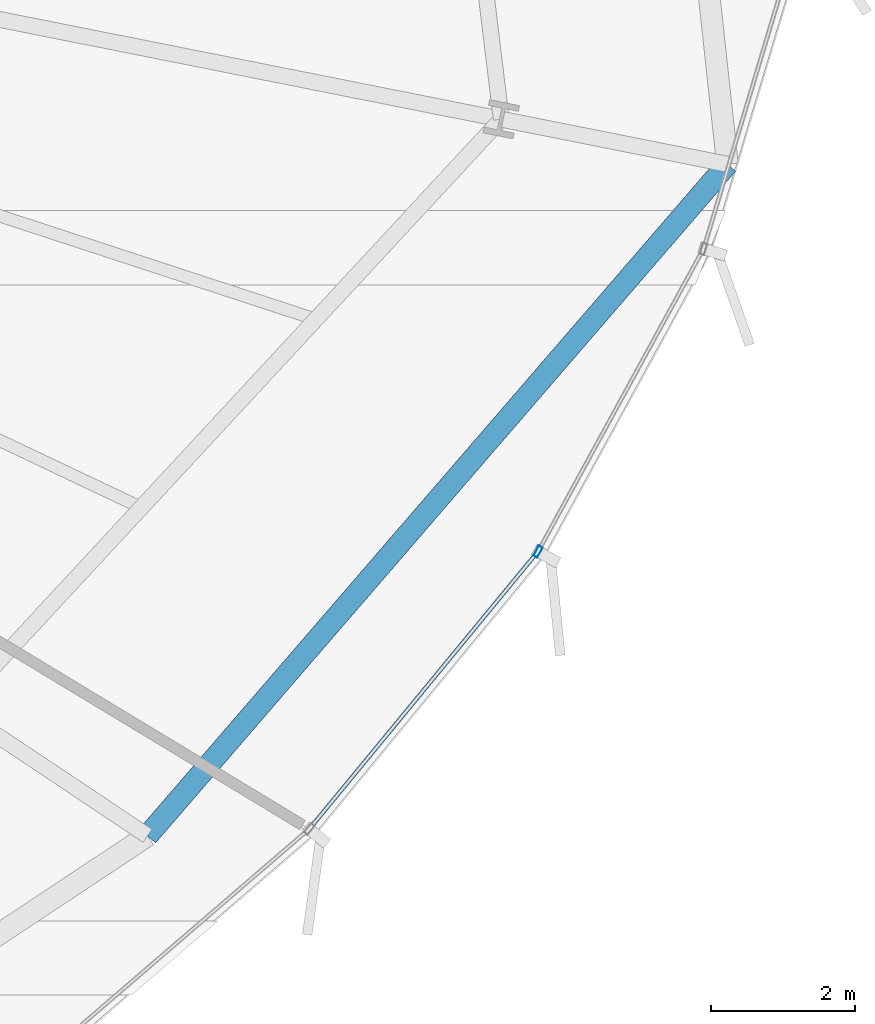
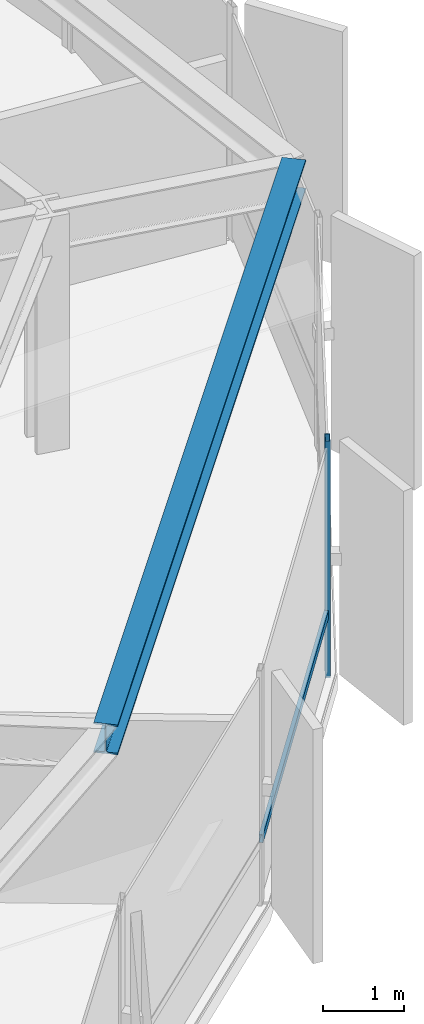
# One storey, part 14 of 39: 2 members, 1 beam, 1 element without a shape of its own.
"""IFC4 building model written with IfcOpenShell, lengths in metres."""

from ifc_helpers import new_model, si_unit, direction, frame, origin, origin_2d, place, context, subcontext, project, spatial, hollow_rectangle, i_section, extrude, source, transform, mapped, material, layer, layer_set, material_profile, profile_set, type_object, element, aggregate, save


model = new_model("IFC4")

# Units and contexts
model_context = context("Model", 3, precision=1e-05, world=origin(), true_north=direction((0.0, 1.0)))
body_context = subcontext(model_context, "Body", "Model", "MODEL_VIEW")
ifc_project = project(units=[si_unit("LENGTHUNIT", "METRE"), si_unit("AREAUNIT", "SQUARE_METRE"), si_unit("VOLUMEUNIT", "CUBIC_METRE"), si_unit("PLANEANGLEUNIT", "RADIAN"), si_unit("MASSUNIT", "GRAM", prefix="KILO"), si_unit("THERMODYNAMICTEMPERATUREUNIT", "KELVIN")], contexts=[model_context])

# Site, building, storey
site_placement = place(None, origin())
site = spatial("IfcSite", under=ifc_project, at=site_placement, CompositionType="ELEMENT")
building_placement = place(site_placement, origin())
building = spatial("IfcBuilding", under=site, at=building_placement, Name="Kethvar Cultural Tower", CompositionType="ELEMENT")
storey_placement = place(building_placement, frame((0.0, 0.0, 41.0)))
storey = spatial("IfcBuildingStorey", under=building, at=storey_placement, Name="L09", CompositionType="ELEMENT", Elevation=41.0)

# Beam
ifc_material_1 = material(Name="Steel S355J2", Category="steel")
ifc_material_profile_1 = material_profile(ifc_material_1, i_section(OverallWidth=0.300048828125, OverallDepth=0.449951171875, WebThickness=0.013916015625, FlangeThickness=0.02587890625, FilletRadius=0.027099609375, at=origin_2d()), Name="Steel S355J2 — HEB450")
ifc_profile_set_1 = profile_set([ifc_material_profile_1], Name="Steel S355J2 — HEB450")
beam_type = type_object("IfcBeamType", Name="BM-SP450", PredefinedType="SPANDREL", material=ifc_profile_set_1)
shared_shape_1 = source(origin(), body_context, "Body", "SweptSolid", [
    extrude(i_section(OverallWidth=0.300048828125, OverallDepth=0.449951171875, WebThickness=0.013916015625, FlangeThickness=0.02587890625, FilletRadius=0.027099609375, at=origin_2d()), origin(), (0.0, 0.0, 1.0), 12.3173828125),
])
beam_placement = place(storey_placement, frame((70.0791015625, 12.24560546875, 3.322998046875), z_axis=(0.653586327045, 0.756851975686, 0.0), x_axis=(-0.756851975686, 0.653586327045, 0.0)))
element("IfcBeam", 1, at=beam_placement, inside=storey, type_object=beam_type, Name="L09 Perimeter Spandrel Beam SP-15", PredefinedType="SPANDREL", context=body_context, shape_type="MappedRepresentation", body=[
    mapped(shared_shape_1, transform((0.0, 0.0, 0.0), scale=1.0)),
])

# Curtain wall, members
ifc_material_2 = material(Name="Aluminium 6063-T6", Category="aluminium")
ifc_layer = layer(ifc_material_2, 0.179931640625, Name="Aluminium 6063-T6", Category="aluminium")
ifc_layer_set = layer_set([ifc_layer], Name="Aluminium 6063-T6 (180 mm)")
curtain_wall_type = type_object("IfcCurtainWallType", Name="CW-SYS-02-Z1", PredefinedType="NOTDEFINED", material=ifc_layer_set)
curtain_wall_placement = place(storey_placement, origin())
curtain_wall = element("IfcCurtainWall", 2, at=curtain_wall_placement, inside=storey, type_object=curtain_wall_type, Name="L09 Curtain Wall Run 06", PredefinedType="NOTDEFINED")
ifc_material_profile_2 = material_profile(ifc_material_2, hollow_rectangle(XDim=0.06494140625, YDim=0.159912109375, WallThickness=0.0048828125, at=origin_2d()), Name="Aluminium 6063-T6 — RHS160x65x5")
ifc_profile_set_2 = profile_set([ifc_material_profile_2], Name="Aluminium 6063-T6 — RHS160x65x5")
member_type_1 = type_object("IfcMemberType", Name="CW-SYS-02-Z1-MUL", PredefinedType="MULLION", material=ifc_profile_set_2)
shared_shape_2 = source(origin(), body_context, "Body", "SweptSolid", [
    extrude(hollow_rectangle(XDim=0.06494140625, YDim=0.159912109375, WallThickness=0.0048828125, at=origin_2d()), origin(), (0.0, 0.0, 1.0), 3.550048828125),
])
member_1_placement = place(storey_placement, frame((75.501220703125, 16.189697265625, 0.0), z_axis=(0.0, 0.0, 1.0), x_axis=(-0.877573271703, 0.479442543786, 0.0)))
member_1 = element("IfcMember", 3, at=member_1_placement, type_object=member_type_1, Name="CW-L09-R06 Mullion 4", PredefinedType="MULLION", context=body_context, shape_type="MappedRepresentation", body=[
    mapped(shared_shape_2, transform((0.0, 0.0, 0.0), scale=1.0)),
])
ifc_material_profile_3 = material_profile(ifc_material_2, hollow_rectangle(XDim=0.054931640625, YDim=0.1201171875, WallThickness=0.00390625, at=origin_2d()), Name="Aluminium 6063-T6 — RHS120x55x4")
ifc_profile_set_3 = profile_set([ifc_material_profile_3], Name="Aluminium 6063-T6 — RHS120x55x4")
member_type_2 = type_object("IfcMemberType", Name="CW-SYS-02-Z1-TRN", PredefinedType="USERDEFINED", material=ifc_profile_set_3)
shared_shape_3 = source(origin(), body_context, "Body", "SweptSolid", [
    extrude(hollow_rectangle(XDim=0.054931640625, YDim=0.1201171875, WallThickness=0.00390625, at=origin_2d()), origin(), (0.0, 0.0, 1.0), 4.921142578125),
])
member_2_placement = place(storey_placement, frame((72.354736328125, 12.374267578125, 0.949951171875), z_axis=(0.635865483573, 0.771799900752, 0.0), x_axis=(-0.771799900752, 0.635865483573, 0.0)))
member_2 = element("IfcMember", 4, at=member_2_placement, type_object=member_type_2, Name="CW-L09-R06 Transom 3", ObjectType="TRANSOM", PredefinedType="USERDEFINED", context=body_context, shape_type="MappedRepresentation", body=[
    mapped(shared_shape_3, transform((0.0, 0.0, 0.0), scale=1.0)),
])
aggregate(curtain_wall, [member_1, member_2])

save(model, "model.ifc")
